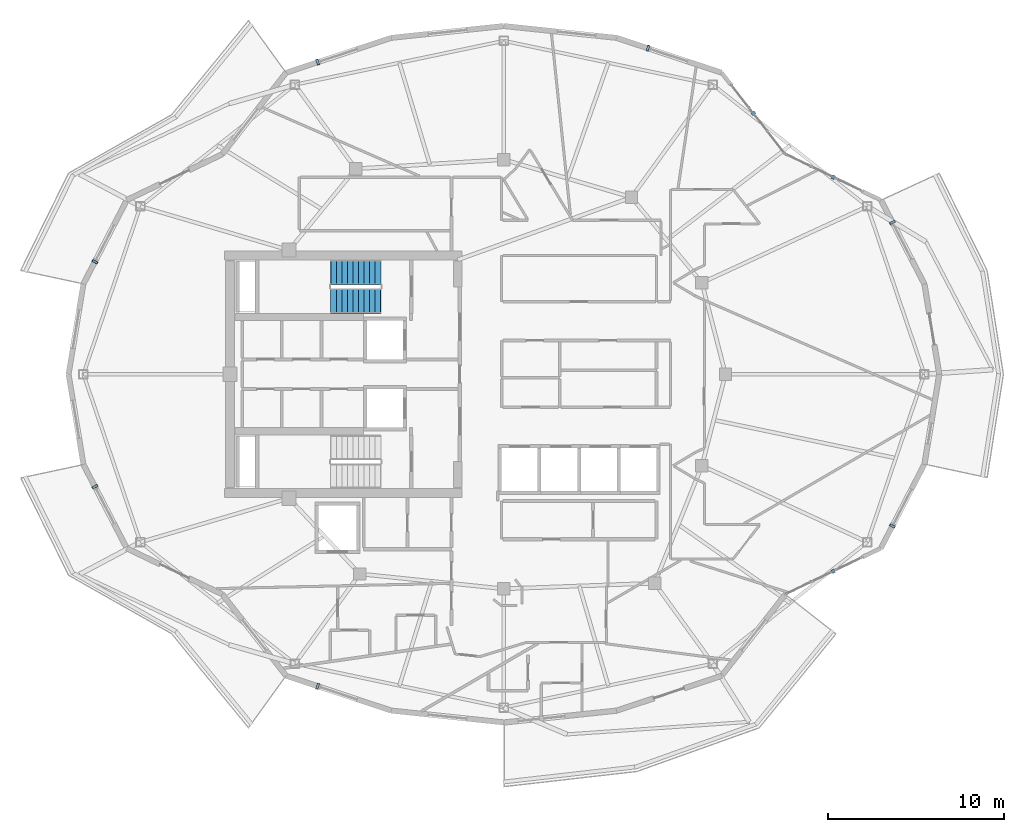
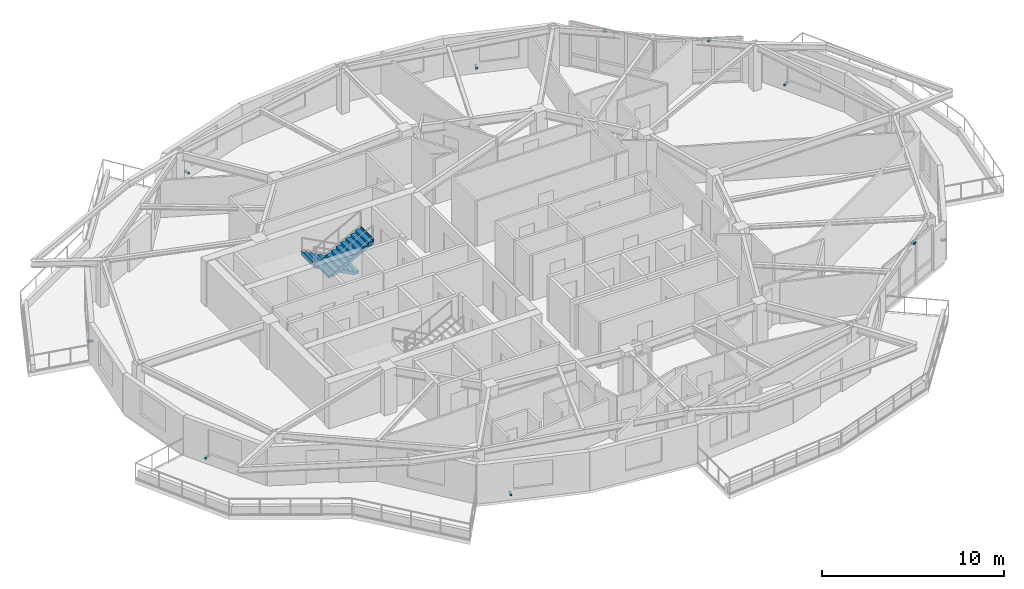
# One storey, part 11 of 14: 10 discrete accessories, 2 stair flights, 1 element without a shape of its own.
"""IFC4 building model written with IfcOpenShell, lengths in metres."""

import ifcopenshell
import ifcopenshell.guid

model = None  # the IFC model being written
_history = None  # IfcOwnerHistory: only IFC2X3 demands one
_inside = {}  # id of a spatial element -> (the spatial element, [elements in it])
_under = {}  # id of a project, library or spatial element -> (it, [spatial elements below it])
_declared = {}  # id of a project -> (the project, [libraries it declares])
_typed = {}  # id of a type object -> (the type object, [elements of that type])
_made_of = {}  # id of a material, layer set ... -> (it, [elements and type objects made of it])


def new_model(schema):
    """Start an empty IFC model of exactly this schema.

    Asked for "IFC4X3", IfcOpenShell would pick the latest addendum, in which some entities
    have other attributes; the version numbers below select the first issue.
    IFC2X3 requires an IfcOwnerHistory on every rooted entity: one is made here for all.
    """
    global model, _history
    if schema == "IFC4X3":
        model = ifcopenshell.file(schema_version=(4, 3, 0, 0))
    else:
        model = ifcopenshell.file(schema=schema)
    _inside.clear()
    _under.clear()
    _declared.clear()
    _typed.clear()
    _made_of.clear()
    _history = None
    if model.schema == "IFC2X3":
        org = make("IfcOrganization", Name="unknown")
        user = make(
            "IfcPersonAndOrganization",
            ThePerson=make("IfcPerson", FamilyName="unknown"),
            TheOrganization=org,
        )
        app = make(
            "IfcApplication",
            ApplicationDeveloper=org,
            Version="unknown",
            ApplicationFullName="unknown",
            ApplicationIdentifier="unknown",
        )
        _history = make(
            "IfcOwnerHistory",
            OwningUser=user,
            OwningApplication=app,
            ChangeAction="ADDED",
            CreationDate=0,
        )
    return model


def make(cls, **values):
    """One entity of the class cls with the attributes given. An attribute that is None is left unset."""
    return model.create_entity(
        cls, **{name: value for name, value in values.items() if value is not None}
    )


def rooted(cls, **values):
    """An entity with a GlobalId (a new one), such as an element, a storey or a relation."""
    return make(cls, GlobalId=ifcopenshell.guid.new(), OwnerHistory=_history, **values)


def si_unit(unit_type, name, prefix=None):
    """IfcSIUnit, for example si_unit("LENGTHUNIT", "METRE", prefix="MILLI")."""
    return make("IfcSIUnit", UnitType=unit_type, Prefix=prefix, Name=name)


def assignment(units):
    """IfcUnitAssignment: the units of a project."""
    return None if units is None else make("IfcUnitAssignment", Units=units)


def point(xyz):
    """IfcCartesianPoint."""
    return None if xyz is None else make("IfcCartesianPoint", Coordinates=xyz)


def direction(xyz):
    """IfcDirection."""
    return None if xyz is None else make("IfcDirection", DirectionRatios=xyz)


def frame(location, z_axis=None, x_axis=None):
    """IfcAxis2Placement3D, a coordinate frame: its origin and axes. An axis left out is left unset."""
    return make(
        "IfcAxis2Placement3D",
        Location=point(location),
        Axis=direction(z_axis),
        RefDirection=direction(x_axis),
    )


def frame_2d(location, x_axis=None):
    """IfcAxis2Placement2D, a coordinate frame in the plane: its origin and x axis."""
    return make(
        "IfcAxis2Placement2D", Location=point(location), RefDirection=direction(x_axis)
    )


def origin():
    """The frame at (0, 0, 0) with its axes left unset."""
    return frame((0.0, 0.0, 0.0))


def origin_2d():
    """The frame at (0, 0) in the plane with its x axis left unset."""
    return frame_2d((0.0, 0.0))


def place(relative_to, where):
    """IfcLocalPlacement: puts the frame where relative to a parent placement (None: the world)."""
    return make(
        "IfcLocalPlacement", PlacementRelTo=relative_to, RelativePlacement=where
    )


def context(
    kind, dimensions, precision=None, world=None, true_north=None, identifier=None
):
    """IfcGeometricRepresentationContext, for example the 3D "Model" context."""
    return make(
        "IfcGeometricRepresentationContext",
        ContextIdentifier=identifier,
        ContextType=kind,
        CoordinateSpaceDimension=dimensions,
        Precision=precision,
        WorldCoordinateSystem=world,
        TrueNorth=true_north,
    )


def subcontext(parent, identifier, kind, view, scale=None):
    """IfcGeometricRepresentationSubContext, for example "Body" below "Model"."""
    return make(
        "IfcGeometricRepresentationSubContext",
        ContextIdentifier=identifier,
        ContextType=kind,
        ParentContext=parent,
        TargetScale=scale,
        TargetView=view,
    )


def project(units=None, contexts=None):
    """IfcProject with its units and contexts."""
    return rooted(
        "IfcProject",
        Name="project",
        RepresentationContexts=contexts,
        UnitsInContext=assignment(units),
    )


def spatial(cls, under=None, at=None, **own):
    """A site, building, storey or space (cls), placed at a placement, below another one or the project."""
    s = rooted(cls, ObjectPlacement=at, **own)
    if under is not None:
        _under.setdefault(under.id(), (under, []))[1].append(s)
    return s


def polyline(points):
    """IfcPolyline through the points."""
    return make("IfcPolyline", Points=[point(p) for p in points])


def profile(cls, at=None, kind="AREA", **sizes):
    """A parametric profile (cls). Its sizes go by their IFC names, for example OverallWidth=200.0."""
    return make(cls, ProfileType=kind, Position=at, **sizes)


def rectangle(**sizes):
    """IfcRectangleProfileDef."""
    return profile("IfcRectangleProfileDef", **sizes)


def outline(outer, holes=None, kind="AREA"):
    """IfcArbitraryClosedProfileDef: a profile drawn as a closed curve; with holes, ...WithVoids."""
    if holes is None:
        return make("IfcArbitraryClosedProfileDef", ProfileType=kind, OuterCurve=outer)
    return make(
        "IfcArbitraryProfileDefWithVoids",
        ProfileType=kind,
        OuterCurve=outer,
        InnerCurves=holes,
    )


def extrude(swept, where, along, depth):
    """IfcExtrudedAreaSolid: the profile swept, set in the frame where, extruded along a direction by depth."""
    return make(
        "IfcExtrudedAreaSolid",
        SweptArea=swept,
        Position=where,
        ExtrudedDirection=direction(along),
        Depth=depth,
    )


def shape(context_of_items, identifier, shape_type, items):
    """IfcShapeRepresentation: the items that make up one representation, for example the "Body"."""
    return make(
        "IfcShapeRepresentation",
        ContextOfItems=context_of_items,
        RepresentationIdentifier=identifier,
        RepresentationType=shape_type,
        Items=items,
    )


def material(Name=None, Category=None):
    """IfcMaterial."""
    return make("IfcMaterial", Name=Name, Category=Category)


def made_of(thing, what):
    """Note that an element or type object is made of a material, layer set ...; save() writes the relation."""
    if what is not None:
        _made_of.setdefault(what.id(), (what, []))[1].append(thing)
    return thing


def type_object(cls, material=None, **own):
    """A type object (cls), such as IfcWallType, which elements share."""
    return made_of(rooted(cls, **own), material)


def element(
    cls,
    number,
    at=None,
    inside=None,
    cuts=None,
    type_object=None,
    material=None,
    context=None,
    identifier="Body",
    shape_type=None,
    held_by="IfcProductDefinitionShape",
    body=None,
    shapes=None,
    **own,
):
    """One element of the class cls, such as IfcWall. Its Tag is "e" and its number.

    at: its placement. inside: the storey or other place that contains it. cuts: it is an
    opening in that element (IfcRelVoidsElement). A single representation is given by context,
    identifier, shape_type and body (its items); several are given by shapes. held_by: the class
    of the entity that holds the representations. save() writes the other relations.
    """
    e = rooted(cls, Tag="e%d" % number, ObjectPlacement=at, **own)
    if body is not None:
        shapes = [shape(context, identifier, shape_type, body)]
    if shapes is not None:
        e.Representation = make(held_by, Representations=shapes)
    if inside is not None:
        _inside.setdefault(inside.id(), (inside, []))[1].append(e)
    if cuts is not None:
        rooted(
            "IfcRelVoidsElement", RelatingBuildingElement=cuts, RelatedOpeningElement=e
        )
    if type_object is not None:
        _typed.setdefault(type_object.id(), (type_object, []))[1].append(e)
    return made_of(e, material)


def aggregate(whole, parts):
    """IfcRelAggregates: a whole, such as a stair, and the parts it consists of."""
    return rooted("IfcRelAggregates", RelatingObject=whole, RelatedObjects=parts)


def save(model, path):
    """Write the relations noted so far, then the file.

    IfcRelAggregates (storeys below a building ...), IfcRelContainedInSpatialStructure (elements
    in a storey), IfcRelDefinesByType, IfcRelAssociatesMaterial and IfcRelDeclares: one each for
    every whole, place, type object, material and project.
    """
    for whole, parts in _under.values():
        aggregate(whole, parts)
    for where, things in _inside.values():
        rooted(
            "IfcRelContainedInSpatialStructure",
            RelatedElements=things,
            RelatingStructure=where,
        )
    for kind, things in _typed.values():
        rooted("IfcRelDefinesByType", RelatedObjects=things, RelatingType=kind)
    for what, things in _made_of.values():
        rooted("IfcRelAssociatesMaterial", RelatedObjects=things, RelatingMaterial=what)
    for by, libraries in _declared.values():
        rooted("IfcRelDeclares", RelatingContext=by, RelatedDefinitions=libraries)
    model.write(path)


model = new_model("IFC4")

# Units and contexts
model_context = context("Model", 3, precision=1e-05, world=origin(), true_north=direction((0.0, 1.0)))
body_context = subcontext(model_context, "Body", "Model", "MODEL_VIEW")
ifc_project = project(units=[si_unit("LENGTHUNIT", "METRE"), si_unit("AREAUNIT", "SQUARE_METRE"), si_unit("VOLUMEUNIT", "CUBIC_METRE"), si_unit("PLANEANGLEUNIT", "RADIAN"), si_unit("MASSUNIT", "GRAM", prefix="KILO")], contexts=[model_context])

# Site, building, storey
site_placement = place(None, origin())
site = spatial("IfcSite", under=ifc_project, at=site_placement, CompositionType="ELEMENT")
building_placement = place(site_placement, origin())
building = spatial("IfcBuilding", under=site, at=building_placement, Name="Kolvaren Gate Tower and Convention Centre", CompositionType="ELEMENT")
storey_placement = place(building_placement, frame((0.0, 0.0, 232.699951171875)))
storey = spatial("IfcBuildingStorey", under=building, at=storey_placement, Name="L62", CompositionType="ELEMENT", Elevation=232.699951171875)

# Stair, stair flights
ifc_material_1 = material(Name="Concrete C50/60", Category="concrete")
stair_type = type_object("IfcStairType", Name="STR-STAIR-CORE", PredefinedType="HALF_TURN_STAIR", material=ifc_material_1)
stair_placement = place(storey_placement, origin())
stair = element("IfcStair", 1, at=stair_placement, inside=storey, type_object=stair_type, Name="L62 Tower North Exit Stair ST-T1", PredefinedType="HALF_TURN_STAIR")
stair_flight_type = type_object("IfcStairFlightType", Name="STR-SFL-1420", PredefinedType="STRAIGHT", material=ifc_material_1)
stair_flight_1_placement = place(storey_placement, frame((23.10009765625, 32.7900390625, 0.0), z_axis=(0.0, 0.0, 1.0), x_axis=(-1.0, 0.0, 0.0)))
stair_flight_1 = element("IfcStairFlight", 2, at=stair_flight_1_placement, type_object=stair_flight_type, Name="ST-T1 flight 1", NumberOfRisers=10, NumberOfTreads=9, PredefinedType="STRAIGHT", RiserHeight=0.165, TreadLength=0.31, context=body_context, shape_type="SweptSolid", body=[
    extrude(outline(polyline([(-0.034912109375, 0.0), (-0.034912109375, 0.1650390625), (0.31005859375, 0.1650390625), (0.31005859375, 0.330078125), (0.6201171875, 0.330078125), (0.6201171875, 0.4951171875), (0.929931640625, 0.4951171875), (0.929931640625, 0.659912109375), (1.239990234375, 0.659912109375), (1.239990234375, 0.824951171875), (1.550048828125, 0.824951171875), (1.550048828125, 0.989990234375), (1.860107421875, 0.989990234375), (1.860107421875, 1.155029296875), (2.169921875, 1.155029296875), (2.169921875, 1.320068359375), (2.47998046875, 1.320068359375), (2.47998046875, 1.485107421875), (2.7900390625, 1.485107421875), (2.7900390625, 1.64990234375), (2.8349609375, 1.64990234375), (2.8349609375, 1.489990234375), (2.7900390625, 1.315185546875), (0.319091796875, 0.0), (-0.034912109375, 0.0)])), frame((0.0, 0.7099609375, 0.0), z_axis=(0.0, -1.0, 0.0), x_axis=(1.0, 0.0, 0.0)), (0.0, 0.0, 1.0), 1.419921875),
])
stair_flight_2_placement = place(storey_placement, frame((20.31005859375, 31.169921875, 1.650146484375), z_axis=(0.0, 0.0, 1.0), x_axis=(1.0, 0.0, 0.0)))
stair_flight_2 = element("IfcStairFlight", 3, at=stair_flight_2_placement, type_object=stair_flight_type, Name="ST-T1 flight 2", NumberOfRisers=10, NumberOfTreads=9, PredefinedType="STRAIGHT", RiserHeight=0.165, TreadLength=0.31, context=body_context, shape_type="SweptSolid", body=[
    extrude(outline(polyline([(-0.034912109375, 0.0), (-0.034912109375, 0.1650390625), (0.31005859375, 0.1650390625), (0.31005859375, 0.330078125), (0.6201171875, 0.330078125), (0.6201171875, 0.4951171875), (0.929931640625, 0.4951171875), (0.929931640625, 0.659912109375), (1.239990234375, 0.659912109375), (1.239990234375, 0.824951171875), (1.550048828125, 0.824951171875), (1.550048828125, 0.989990234375), (1.860107421875, 0.989990234375), (1.860107421875, 1.155029296875), (2.169921875, 1.155029296875), (2.169921875, 1.320068359375), (2.47998046875, 1.320068359375), (2.47998046875, 1.485107421875), (2.7900390625, 1.485107421875), (2.7900390625, 1.64990234375), (2.8349609375, 1.64990234375), (2.8349609375, 1.489990234375), (2.7900390625, 1.315185546875), (0.319091796875, 0.0), (-0.034912109375, 0.0)])), frame((0.0, 0.7099609375, 0.0), z_axis=(0.0, -1.0, 0.0), x_axis=(1.0, 0.0, 0.0)), (0.0, 0.0, 1.0), 1.419921875),
])
aggregate(stair, [stair_flight_1, stair_flight_2])

# Discrete accessories
ifc_material_2 = material(Name="Anodized Architectural Aluminium Alloy 6063-T6", Category="aluminium")
discrete_accessory_type = type_object("IfcDiscreteAccessoryType", Name="ARCH-ACC-BRACKET-120", PredefinedType="BRACKET", material=ifc_material_2)
discrete_accessory_1_placement = place(storey_placement, frame((52.21630859375, 35.631103515625, 0.2900390625), z_axis=(0.0, 0.0, 1.0), x_axis=(0.459799959359, -0.888022520758, 0.0)))
element("IfcDiscreteAccessory", 4, at=discrete_accessory_1_placement, inside=storey, type_object=discrete_accessory_type, Name="Ceramic Fin Wall Anchor Bracket FBK-L62-01", PredefinedType="BRACKET", context=body_context, shape_type="SweptSolid", body=[
    extrude(rectangle(XDim=0.1201171875, YDim=0.320068359375, at=origin_2d()), origin(), (0.0, 0.0, 1.0), 0.1201171875),
])
for number, where, z_axis, x_axis, name in (
    (5, (48.845703125, 38.20361328125, 2.85009765625), (0.0, 0.0, 1.0), (0.90135914581, -0.433072384555, 0.0), "Solar Screen Spandrel Anchor Bracket BK-L62-02"),
    (6, (44.316162109375, 41.827392578125, 2.85009765625), (0.0, 0.0, 1.0), (0.616434119112, -0.787406487651, 0.0), "Solar Screen Spandrel Anchor Bracket BK-L62-03"),
):
    element("IfcDiscreteAccessory", number, at=place(storey_placement, frame(where, z_axis=z_axis, x_axis=x_axis)), inside=storey, type_object=discrete_accessory_type, Name=name, PredefinedType="BRACKET", context=body_context, shape_type="SweptSolid", body=[
        extrude(rectangle(XDim=0.179931640625, YDim=0.219970703125, at=origin_2d()), origin(), (0.0, 0.0, 1.0), 0.1201171875),
    ])
for number, where, z_axis, x_axis, name in (
    (7, (38.319091796875, 45.53271484375, 0.2900390625), (0.0, 0.0, 1.0), (0.949241728595, -0.314547517385, 0.0), "Ceramic Fin Wall Anchor Bracket FBK-L62-04"),
    (8, (19.538330078125, 44.739990234375, 0.2900390625), (0.0, 0.0, 1.0), (0.949241728595, 0.314547517385, 0.0), "Ceramic Fin Wall Anchor Bracket FBK-L62-07"),
    (9, (6.87548828125, 33.3935546875, 0.2900390625), (0.0, 0.0, 1.0), (0.459799959359, 0.888022520758, 0.0), "Ceramic Fin Wall Anchor Bracket FBK-L62-10"),
    (10, (6.87548828125, 20.6064453125, 0.2900390625), (0.0, 0.0, 1.0), (0.459799959359, -0.888022520758, 0.0), "Ceramic Fin Wall Anchor Bracket FBK-L62-13"),
    (11, (19.538330078125, 9.260009765625, 0.2900390625), (0.0, 0.0, 1.0), (0.949241728595, -0.314547517385, 0.0), "Ceramic Fin Wall Anchor Bracket FBK-L62-16"),
):
    element("IfcDiscreteAccessory", number, at=place(storey_placement, frame(where, z_axis=z_axis, x_axis=x_axis)), inside=storey, type_object=discrete_accessory_type, Name=name, PredefinedType="BRACKET", context=body_context, shape_type="SweptSolid", body=[
        extrude(rectangle(XDim=0.1201171875, YDim=0.320068359375, at=origin_2d()), origin(), (0.0, 0.0, 1.0), 0.1201171875),
    ])
discrete_accessory_2_placement = place(storey_placement, frame((48.845703125, 15.79638671875, 2.85009765625), z_axis=(0.0, 0.0, 1.0), x_axis=(0.90135914581, 0.433072384555, 0.0)))
element("IfcDiscreteAccessory", 12, at=discrete_accessory_2_placement, inside=storey, type_object=discrete_accessory_type, Name="Solar Screen Spandrel Anchor Bracket BK-L62-21", PredefinedType="BRACKET", context=body_context, shape_type="SweptSolid", body=[
    extrude(rectangle(XDim=0.179931640625, YDim=0.219970703125, at=origin_2d()), origin(), (0.0, 0.0, 1.0), 0.1201171875),
])
discrete_accessory_3_placement = place(storey_placement, frame((52.21630859375, 18.368896484375, 0.2900390625), z_axis=(0.0, 0.0, 1.0), x_axis=(0.459799959359, 0.888022520758, 0.0)))
element("IfcDiscreteAccessory", 13, at=discrete_accessory_3_placement, inside=storey, type_object=discrete_accessory_type, Name="Ceramic Fin Wall Anchor Bracket FBK-L62-22", PredefinedType="BRACKET", context=body_context, shape_type="SweptSolid", body=[
    extrude(rectangle(XDim=0.1201171875, YDim=0.320068359375, at=origin_2d()), origin(), (0.0, 0.0, 1.0), 0.1201171875),
])

save(model, "model.ifc")
